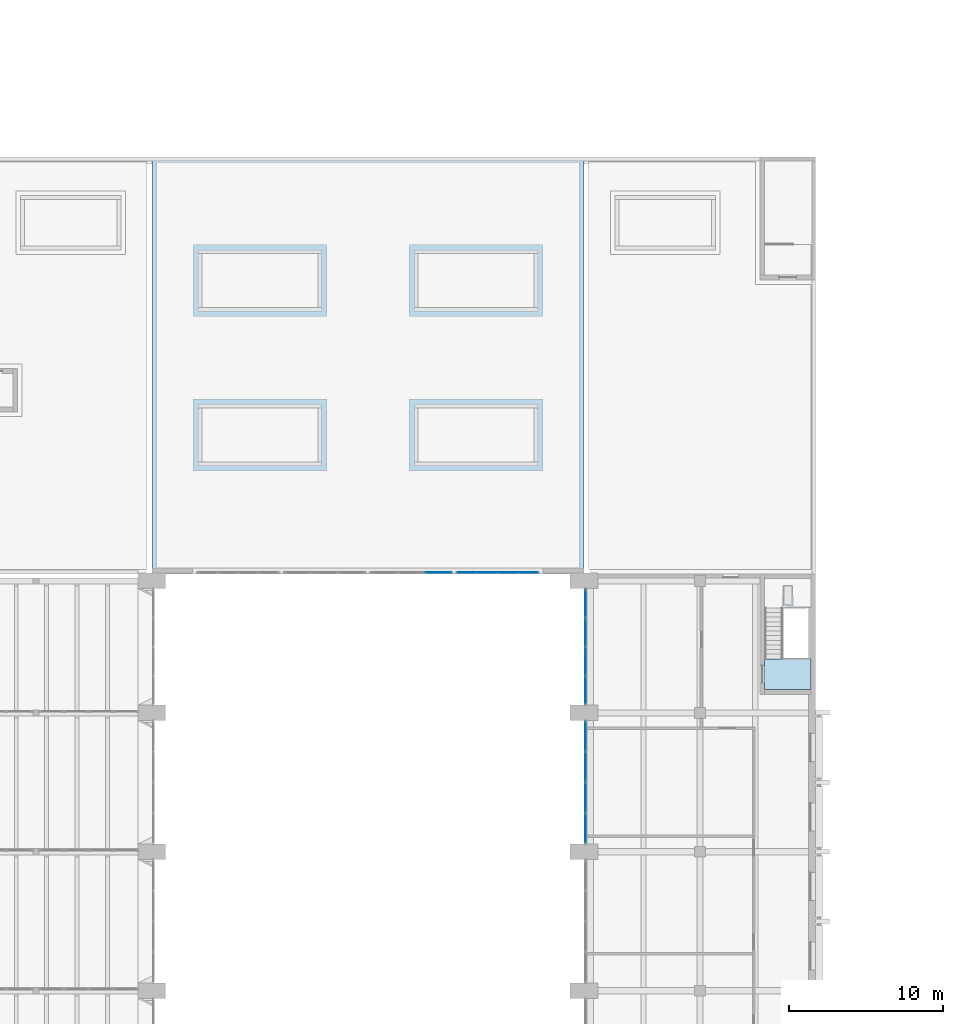
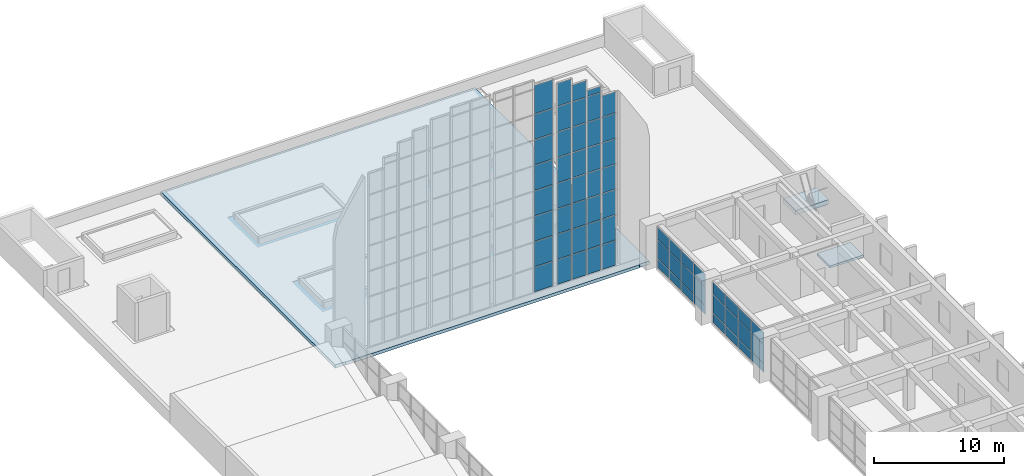
# One storey, part 28 of 43: 63 plates, 3 slabs, 8 elements without a shape of their own.
"""IFC4 building model written with IfcOpenShell, lengths in metres."""

import ifcopenshell
import ifcopenshell.guid

model = None  # the IFC model being written
_history = None  # IfcOwnerHistory: only IFC2X3 demands one
_inside = {}  # id of a spatial element -> (the spatial element, [elements in it])
_under = {}  # id of a project, library or spatial element -> (it, [spatial elements below it])
_declared = {}  # id of a project -> (the project, [libraries it declares])
_typed = {}  # id of a type object -> (the type object, [elements of that type])
_made_of = {}  # id of a material, layer set ... -> (it, [elements and type objects made of it])


def new_model(schema):
    """Start an empty IFC model of exactly this schema.

    Asked for "IFC4X3", IfcOpenShell would pick the latest addendum, in which some entities
    have other attributes; the version numbers below select the first issue.
    IFC2X3 requires an IfcOwnerHistory on every rooted entity: one is made here for all.
    """
    global model, _history
    if schema == "IFC4X3":
        model = ifcopenshell.file(schema_version=(4, 3, 0, 0))
    else:
        model = ifcopenshell.file(schema=schema)
    _inside.clear()
    _under.clear()
    _declared.clear()
    _typed.clear()
    _made_of.clear()
    _history = None
    if model.schema == "IFC2X3":
        org = make("IfcOrganization", Name="unknown")
        user = make(
            "IfcPersonAndOrganization",
            ThePerson=make("IfcPerson", FamilyName="unknown"),
            TheOrganization=org,
        )
        app = make(
            "IfcApplication",
            ApplicationDeveloper=org,
            Version="unknown",
            ApplicationFullName="unknown",
            ApplicationIdentifier="unknown",
        )
        _history = make(
            "IfcOwnerHistory",
            OwningUser=user,
            OwningApplication=app,
            ChangeAction="ADDED",
            CreationDate=0,
        )
    return model


def make(cls, **values):
    """One entity of the class cls with the attributes given. An attribute that is None is left unset."""
    return model.create_entity(
        cls, **{name: value for name, value in values.items() if value is not None}
    )


def rooted(cls, **values):
    """An entity with a GlobalId (a new one), such as an element, a storey or a relation."""
    return make(cls, GlobalId=ifcopenshell.guid.new(), OwnerHistory=_history, **values)


def si_unit(unit_type, name, prefix=None):
    """IfcSIUnit, for example si_unit("LENGTHUNIT", "METRE", prefix="MILLI")."""
    return make("IfcSIUnit", UnitType=unit_type, Prefix=prefix, Name=name)


def assignment(units):
    """IfcUnitAssignment: the units of a project."""
    return None if units is None else make("IfcUnitAssignment", Units=units)


def point(xyz):
    """IfcCartesianPoint."""
    return None if xyz is None else make("IfcCartesianPoint", Coordinates=xyz)


def direction(xyz):
    """IfcDirection."""
    return None if xyz is None else make("IfcDirection", DirectionRatios=xyz)


def frame(location, z_axis=None, x_axis=None):
    """IfcAxis2Placement3D, a coordinate frame: its origin and axes. An axis left out is left unset."""
    return make(
        "IfcAxis2Placement3D",
        Location=point(location),
        Axis=direction(z_axis),
        RefDirection=direction(x_axis),
    )


def frame_2d(location, x_axis=None):
    """IfcAxis2Placement2D, a coordinate frame in the plane: its origin and x axis."""
    return make(
        "IfcAxis2Placement2D", Location=point(location), RefDirection=direction(x_axis)
    )


def origin():
    """The frame at (0, 0, 0) with its axes left unset."""
    return frame((0.0, 0.0, 0.0))


def origin_2d():
    """The frame at (0, 0) in the plane with its x axis left unset."""
    return frame_2d((0.0, 0.0))


def place(relative_to, where):
    """IfcLocalPlacement: puts the frame where relative to a parent placement (None: the world)."""
    return make(
        "IfcLocalPlacement", PlacementRelTo=relative_to, RelativePlacement=where
    )


def context(
    kind, dimensions, precision=None, world=None, true_north=None, identifier=None
):
    """IfcGeometricRepresentationContext, for example the 3D "Model" context."""
    return make(
        "IfcGeometricRepresentationContext",
        ContextIdentifier=identifier,
        ContextType=kind,
        CoordinateSpaceDimension=dimensions,
        Precision=precision,
        WorldCoordinateSystem=world,
        TrueNorth=true_north,
    )


def subcontext(parent, identifier, kind, view, scale=None):
    """IfcGeometricRepresentationSubContext, for example "Body" below "Model"."""
    return make(
        "IfcGeometricRepresentationSubContext",
        ContextIdentifier=identifier,
        ContextType=kind,
        ParentContext=parent,
        TargetScale=scale,
        TargetView=view,
    )


def project(units=None, contexts=None):
    """IfcProject with its units and contexts."""
    return rooted(
        "IfcProject",
        Name="project",
        RepresentationContexts=contexts,
        UnitsInContext=assignment(units),
    )


def spatial(cls, under=None, at=None, **own):
    """A site, building, storey or space (cls), placed at a placement, below another one or the project."""
    s = rooted(cls, ObjectPlacement=at, **own)
    if under is not None:
        _under.setdefault(under.id(), (under, []))[1].append(s)
    return s


def polyline(points):
    """IfcPolyline through the points."""
    return make("IfcPolyline", Points=[point(p) for p in points])


def profile(cls, at=None, kind="AREA", **sizes):
    """A parametric profile (cls). Its sizes go by their IFC names, for example OverallWidth=200.0."""
    return make(cls, ProfileType=kind, Position=at, **sizes)


def rectangle(**sizes):
    """IfcRectangleProfileDef."""
    return profile("IfcRectangleProfileDef", **sizes)


def outline(outer, holes=None, kind="AREA"):
    """IfcArbitraryClosedProfileDef: a profile drawn as a closed curve; with holes, ...WithVoids."""
    if holes is None:
        return make("IfcArbitraryClosedProfileDef", ProfileType=kind, OuterCurve=outer)
    return make(
        "IfcArbitraryProfileDefWithVoids",
        ProfileType=kind,
        OuterCurve=outer,
        InnerCurves=holes,
    )


def extrude(swept, where, along, depth):
    """IfcExtrudedAreaSolid: the profile swept, set in the frame where, extruded along a direction by depth."""
    return make(
        "IfcExtrudedAreaSolid",
        SweptArea=swept,
        Position=where,
        ExtrudedDirection=direction(along),
        Depth=depth,
    )


def shape(context_of_items, identifier, shape_type, items):
    """IfcShapeRepresentation: the items that make up one representation, for example the "Body"."""
    return make(
        "IfcShapeRepresentation",
        ContextOfItems=context_of_items,
        RepresentationIdentifier=identifier,
        RepresentationType=shape_type,
        Items=items,
    )


def material(Name=None, Category=None):
    """IfcMaterial."""
    return make("IfcMaterial", Name=Name, Category=Category)


def layer(
    of_material, thickness, ventilated=None, Name=None, Category=None, Priority=None
):
    """IfcMaterialLayer: one layer of a wall or slab, of a material (None: an air gap)."""
    return make(
        "IfcMaterialLayer",
        Material=of_material,
        LayerThickness=thickness,
        IsVentilated=ventilated,
        Name=Name,
        Category=Category,
        Priority=Priority,
    )


def layer_set(layers, Name=None):
    """IfcMaterialLayerSet."""
    return make("IfcMaterialLayerSet", MaterialLayers=layers, LayerSetName=Name)


def made_of(thing, what):
    """Note that an element or type object is made of a material, layer set ...; save() writes the relation."""
    if what is not None:
        _made_of.setdefault(what.id(), (what, []))[1].append(thing)
    return thing


def type_object(cls, material=None, **own):
    """A type object (cls), such as IfcWallType, which elements share."""
    return made_of(rooted(cls, **own), material)


def element(
    cls,
    number,
    at=None,
    inside=None,
    cuts=None,
    type_object=None,
    material=None,
    context=None,
    identifier="Body",
    shape_type=None,
    held_by="IfcProductDefinitionShape",
    body=None,
    shapes=None,
    **own,
):
    """One element of the class cls, such as IfcWall. Its Tag is "e" and its number.

    at: its placement. inside: the storey or other place that contains it. cuts: it is an
    opening in that element (IfcRelVoidsElement). A single representation is given by context,
    identifier, shape_type and body (its items); several are given by shapes. held_by: the class
    of the entity that holds the representations. save() writes the other relations.
    """
    e = rooted(cls, Tag="e%d" % number, ObjectPlacement=at, **own)
    if body is not None:
        shapes = [shape(context, identifier, shape_type, body)]
    if shapes is not None:
        e.Representation = make(held_by, Representations=shapes)
    if inside is not None:
        _inside.setdefault(inside.id(), (inside, []))[1].append(e)
    if cuts is not None:
        rooted(
            "IfcRelVoidsElement", RelatingBuildingElement=cuts, RelatedOpeningElement=e
        )
    if type_object is not None:
        _typed.setdefault(type_object.id(), (type_object, []))[1].append(e)
    return made_of(e, material)


def aggregate(whole, parts):
    """IfcRelAggregates: a whole, such as a stair, and the parts it consists of."""
    return rooted("IfcRelAggregates", RelatingObject=whole, RelatedObjects=parts)


def save(model, path):
    """Write the relations noted so far, then the file.

    IfcRelAggregates (storeys below a building ...), IfcRelContainedInSpatialStructure (elements
    in a storey), IfcRelDefinesByType, IfcRelAssociatesMaterial and IfcRelDeclares: one each for
    every whole, place, type object, material and project.
    """
    for whole, parts in _under.values():
        aggregate(whole, parts)
    for where, things in _inside.values():
        rooted(
            "IfcRelContainedInSpatialStructure",
            RelatedElements=things,
            RelatingStructure=where,
        )
    for kind, things in _typed.values():
        rooted("IfcRelDefinesByType", RelatedObjects=things, RelatingType=kind)
    for what, things in _made_of.values():
        rooted("IfcRelAssociatesMaterial", RelatedObjects=things, RelatingMaterial=what)
    for by, libraries in _declared.values():
        rooted("IfcRelDeclares", RelatingContext=by, RelatedDefinitions=libraries)
    model.write(path)


model = new_model("IFC4")

# Units and contexts
model_context = context("Model", 3, precision=1e-05, world=origin(), true_north=direction((0.0, 1.0)))
body_context = subcontext(model_context, "Body", "Model", "MODEL_VIEW")
ifc_project = project(units=[si_unit("LENGTHUNIT", "METRE"), si_unit("AREAUNIT", "SQUARE_METRE"), si_unit("VOLUMEUNIT", "CUBIC_METRE"), si_unit("PLANEANGLEUNIT", "RADIAN"), si_unit("MASSUNIT", "GRAM", prefix="KILO")], contexts=[model_context])

# Site, building, storey
site_placement = place(None, origin())
site = spatial("IfcSite", under=ifc_project, at=site_placement, CompositionType="ELEMENT")
building_placement = place(site_placement, origin())
building = spatial("IfcBuilding", under=site, at=building_placement, Name="Elmora Arch Market Hall", CompositionType="ELEMENT")
storey_placement = place(building_placement, frame((0.0, 0.0, 10.199951171875)))
storey = spatial("IfcBuildingStorey", under=building, at=storey_placement, Name="L02", CompositionType="ELEMENT", Elevation=10.199951171875)

# Curtain wall, plates
ifc_material_1 = material(Name="Aluminium", Category="aluminium")
curtain_wall_type_1 = type_object("IfcCurtainWallType", Name="Hall front curtain wall", PredefinedType="NOTDEFINED", material=ifc_material_1)
curtain_wall_1_placement = place(storey_placement, origin())
curtain_wall_1 = element("IfcCurtainWall", 1, at=curtain_wall_1_placement, inside=storey, type_object=curtain_wall_type_1, Name="Wing front E L02 7", PredefinedType="NOTDEFINED")
ifc_material_2 = material(Name="Glass", Category="glass")
ifc_layer_1 = layer(ifc_material_2, 0.028076171875)
ifc_layer_set_1 = layer_set([ifc_layer_1], Name="Glass")
plate_type = type_object("IfcPlateType", Name="Glass panel 28", PredefinedType="CURTAIN_PANEL", material=ifc_layer_set_1)
plate_1_placement = place(storey_placement, frame((43.10009765625, 82.52001953125, 0.06005859375), z_axis=(0.0, 0.0, 1.0), x_axis=(0.0, 1.0, 0.0)))
plate_1 = element("IfcPlate", 2, at=plate_1_placement, type_object=plate_type, Name="CW2 panel 1.1", PredefinedType="CURTAIN_PANEL", context=body_context, shape_type="SweptSolid", body=[
    extrude(rectangle(XDim=1.8798828125, YDim=0.028076171875, at=origin_2d()), origin(), (0.0, 0.0, 1.0), 0.81005859375),
])
plate_2_placement = place(storey_placement, frame((43.10009765625, 82.52001953125, 0.93017578125), z_axis=(0.0, 0.0, 1.0), x_axis=(0.0, 1.0, 0.0)))
plate_2 = element("IfcPlate", 3, at=plate_2_placement, type_object=plate_type, Name="CW2 panel 1.2", PredefinedType="CURTAIN_PANEL", context=body_context, shape_type="SweptSolid", body=[
    extrude(rectangle(XDim=1.8798828125, YDim=0.028076171875, at=origin_2d()), origin(), (0.0, 0.0, 1.0), 1.739990234375),
])
plate_3_placement = place(storey_placement, frame((43.10009765625, 82.52001953125, 2.72998046875), z_axis=(0.0, 0.0, 1.0), x_axis=(0.0, 1.0, 0.0)))
plate_3 = element("IfcPlate", 4, at=plate_3_placement, type_object=plate_type, Name="CW2 panel 1.3", PredefinedType="CURTAIN_PANEL", context=body_context, shape_type="SweptSolid", body=[
    extrude(rectangle(XDim=1.8798828125, YDim=0.028076171875, at=origin_2d()), origin(), (0.0, 0.0, 1.0), 1.110107421875),
])
plate_4_placement = place(storey_placement, frame((43.10009765625, 84.5, 0.06005859375), z_axis=(0.0, 0.0, 1.0), x_axis=(0.0, 1.0, 0.0)))
plate_4 = element("IfcPlate", 5, at=plate_4_placement, type_object=plate_type, Name="CW2 panel 2.1", PredefinedType="CURTAIN_PANEL", context=body_context, shape_type="SweptSolid", body=[
    extrude(rectangle(XDim=1.919921875, YDim=0.028076171875, at=origin_2d()), origin(), (0.0, 0.0, 1.0), 0.81005859375),
])
plate_5_placement = place(storey_placement, frame((43.10009765625, 84.5, 0.93017578125), z_axis=(0.0, 0.0, 1.0), x_axis=(0.0, 1.0, 0.0)))
plate_5 = element("IfcPlate", 6, at=plate_5_placement, type_object=plate_type, Name="CW2 panel 2.2", PredefinedType="CURTAIN_PANEL", context=body_context, shape_type="SweptSolid", body=[
    extrude(rectangle(XDim=1.919921875, YDim=0.028076171875, at=origin_2d()), origin(), (0.0, 0.0, 1.0), 1.739990234375),
])
plate_6_placement = place(storey_placement, frame((43.10009765625, 84.5, 2.72998046875), z_axis=(0.0, 0.0, 1.0), x_axis=(0.0, 1.0, 0.0)))
plate_6 = element("IfcPlate", 7, at=plate_6_placement, type_object=plate_type, Name="CW2 panel 2.3", PredefinedType="CURTAIN_PANEL", context=body_context, shape_type="SweptSolid", body=[
    extrude(rectangle(XDim=1.919921875, YDim=0.028076171875, at=origin_2d()), origin(), (0.0, 0.0, 1.0), 1.110107421875),
])
plate_7_placement = place(storey_placement, frame((43.10009765625, 86.5, 0.06005859375), z_axis=(0.0, 0.0, 1.0), x_axis=(0.0, 1.0, 0.0)))
plate_7 = element("IfcPlate", 8, at=plate_7_placement, type_object=plate_type, Name="CW2 panel 3.1", PredefinedType="CURTAIN_PANEL", context=body_context, shape_type="SweptSolid", body=[
    extrude(rectangle(XDim=1.919921875, YDim=0.028076171875, at=origin_2d()), origin(), (0.0, 0.0, 1.0), 0.81005859375),
])
plate_8_placement = place(storey_placement, frame((43.10009765625, 86.5, 0.93017578125), z_axis=(0.0, 0.0, 1.0), x_axis=(0.0, 1.0, 0.0)))
plate_8 = element("IfcPlate", 9, at=plate_8_placement, type_object=plate_type, Name="CW2 panel 3.2", PredefinedType="CURTAIN_PANEL", context=body_context, shape_type="SweptSolid", body=[
    extrude(rectangle(XDim=1.919921875, YDim=0.028076171875, at=origin_2d()), origin(), (0.0, 0.0, 1.0), 1.739990234375),
])
plate_9_placement = place(storey_placement, frame((43.10009765625, 86.5, 2.72998046875), z_axis=(0.0, 0.0, 1.0), x_axis=(0.0, 1.0, 0.0)))
plate_9 = element("IfcPlate", 10, at=plate_9_placement, type_object=plate_type, Name="CW2 panel 3.3", PredefinedType="CURTAIN_PANEL", context=body_context, shape_type="SweptSolid", body=[
    extrude(rectangle(XDim=1.919921875, YDim=0.028076171875, at=origin_2d()), origin(), (0.0, 0.0, 1.0), 1.110107421875),
])
plate_10_placement = place(storey_placement, frame((43.10009765625, 88.47998046875, 0.06005859375), z_axis=(0.0, 0.0, 1.0), x_axis=(0.0, 1.0, 0.0)))
plate_10 = element("IfcPlate", 11, at=plate_10_placement, type_object=plate_type, Name="CW2 panel 4.1", PredefinedType="CURTAIN_PANEL", context=body_context, shape_type="SweptSolid", body=[
    extrude(rectangle(XDim=1.8798828125, YDim=0.028076171875, at=origin_2d()), origin(), (0.0, 0.0, 1.0), 0.81005859375),
])
plate_11_placement = place(storey_placement, frame((43.10009765625, 88.47998046875, 0.93017578125), z_axis=(0.0, 0.0, 1.0), x_axis=(0.0, 1.0, 0.0)))
plate_11 = element("IfcPlate", 12, at=plate_11_placement, type_object=plate_type, Name="CW2 panel 4.2", PredefinedType="CURTAIN_PANEL", context=body_context, shape_type="SweptSolid", body=[
    extrude(rectangle(XDim=1.8798828125, YDim=0.028076171875, at=origin_2d()), origin(), (0.0, 0.0, 1.0), 1.739990234375),
])
plate_12_placement = place(storey_placement, frame((43.10009765625, 88.47998046875, 2.72998046875), z_axis=(0.0, 0.0, 1.0), x_axis=(0.0, 1.0, 0.0)))
plate_12 = element("IfcPlate", 13, at=plate_12_placement, type_object=plate_type, Name="CW2 panel 4.3", PredefinedType="CURTAIN_PANEL", context=body_context, shape_type="SweptSolid", body=[
    extrude(rectangle(XDim=1.8798828125, YDim=0.028076171875, at=origin_2d()), origin(), (0.0, 0.0, 1.0), 1.110107421875),
])
aggregate(curtain_wall_1, [plate_1, plate_2, plate_3, plate_4, plate_5, plate_6, plate_7, plate_8, plate_9, plate_10, plate_11, plate_12])

curtain_wall_2_placement = place(storey_placement, origin())
curtain_wall_2 = element("IfcCurtainWall", 14, at=curtain_wall_2_placement, inside=storey, type_object=curtain_wall_type_1, Name="Wing front E L02 8", PredefinedType="NOTDEFINED")
plate_13_placement = place(storey_placement, frame((43.10009765625, 91.4638671875, 0.06005859375), z_axis=(0.0, 0.0, 1.0), x_axis=(0.0, 1.0, 0.0)))
plate_13 = element("IfcPlate", 15, at=plate_13_placement, type_object=plate_type, Name="CW2 panel 1.1", PredefinedType="CURTAIN_PANEL", context=body_context, shape_type="SweptSolid", body=[
    extrude(rectangle(XDim=1.767578125, YDim=0.028076171875, at=origin_2d()), origin(), (0.0, 0.0, 1.0), 0.81005859375),
])
plate_14_placement = place(storey_placement, frame((43.10009765625, 91.4638671875, 0.93017578125), z_axis=(0.0, 0.0, 1.0), x_axis=(0.0, 1.0, 0.0)))
plate_14 = element("IfcPlate", 16, at=plate_14_placement, type_object=plate_type, Name="CW2 panel 1.2", PredefinedType="CURTAIN_PANEL", context=body_context, shape_type="SweptSolid", body=[
    extrude(rectangle(XDim=1.767578125, YDim=0.028076171875, at=origin_2d()), origin(), (0.0, 0.0, 1.0), 1.739990234375),
])
plate_15_placement = place(storey_placement, frame((43.10009765625, 91.4638671875, 2.72998046875), z_axis=(0.0, 0.0, 1.0), x_axis=(0.0, 1.0, 0.0)))
plate_15 = element("IfcPlate", 17, at=plate_15_placement, type_object=plate_type, Name="CW2 panel 1.3", PredefinedType="CURTAIN_PANEL", context=body_context, shape_type="SweptSolid", body=[
    extrude(rectangle(XDim=1.767578125, YDim=0.028076171875, at=origin_2d()), origin(), (0.0, 0.0, 1.0), 1.110107421875),
])
plate_16_placement = place(storey_placement, frame((43.10009765625, 93.331298828125, 0.06005859375), z_axis=(0.0, 0.0, 1.0), x_axis=(0.0, 1.0, 0.0)))
plate_16 = element("IfcPlate", 18, at=plate_16_placement, type_object=plate_type, Name="CW2 panel 2.1", PredefinedType="CURTAIN_PANEL", context=body_context, shape_type="SweptSolid", body=[
    extrude(rectangle(XDim=1.8076171875, YDim=0.028076171875, at=origin_2d()), origin(), (0.0, 0.0, 1.0), 0.81005859375),
])
plate_17_placement = place(storey_placement, frame((43.10009765625, 93.331298828125, 0.93017578125), z_axis=(0.0, 0.0, 1.0), x_axis=(0.0, 1.0, 0.0)))
plate_17 = element("IfcPlate", 19, at=plate_17_placement, type_object=plate_type, Name="CW2 panel 2.2", PredefinedType="CURTAIN_PANEL", context=body_context, shape_type="SweptSolid", body=[
    extrude(rectangle(XDim=1.8076171875, YDim=0.028076171875, at=origin_2d()), origin(), (0.0, 0.0, 1.0), 1.739990234375),
])
plate_18_placement = place(storey_placement, frame((43.10009765625, 93.331298828125, 2.72998046875), z_axis=(0.0, 0.0, 1.0), x_axis=(0.0, 1.0, 0.0)))
plate_18 = element("IfcPlate", 20, at=plate_18_placement, type_object=plate_type, Name="CW2 panel 2.3", PredefinedType="CURTAIN_PANEL", context=body_context, shape_type="SweptSolid", body=[
    extrude(rectangle(XDim=1.8076171875, YDim=0.028076171875, at=origin_2d()), origin(), (0.0, 0.0, 1.0), 1.110107421875),
])
plate_19_placement = place(storey_placement, frame((43.10009765625, 95.21875, 0.06005859375), z_axis=(0.0, 0.0, 1.0), x_axis=(0.0, 1.0, 0.0)))
plate_19 = element("IfcPlate", 21, at=plate_19_placement, type_object=plate_type, Name="CW2 panel 3.1", PredefinedType="CURTAIN_PANEL", context=body_context, shape_type="SweptSolid", body=[
    extrude(rectangle(XDim=1.8076171875, YDim=0.028076171875, at=origin_2d()), origin(), (0.0, 0.0, 1.0), 0.81005859375),
])
plate_20_placement = place(storey_placement, frame((43.10009765625, 95.21875, 0.93017578125), z_axis=(0.0, 0.0, 1.0), x_axis=(0.0, 1.0, 0.0)))
plate_20 = element("IfcPlate", 22, at=plate_20_placement, type_object=plate_type, Name="CW2 panel 3.2", PredefinedType="CURTAIN_PANEL", context=body_context, shape_type="SweptSolid", body=[
    extrude(rectangle(XDim=1.8076171875, YDim=0.028076171875, at=origin_2d()), origin(), (0.0, 0.0, 1.0), 1.739990234375),
])
plate_21_placement = place(storey_placement, frame((43.10009765625, 95.21875, 2.72998046875), z_axis=(0.0, 0.0, 1.0), x_axis=(0.0, 1.0, 0.0)))
plate_21 = element("IfcPlate", 23, at=plate_21_placement, type_object=plate_type, Name="CW2 panel 3.3", PredefinedType="CURTAIN_PANEL", context=body_context, shape_type="SweptSolid", body=[
    extrude(rectangle(XDim=1.8076171875, YDim=0.028076171875, at=origin_2d()), origin(), (0.0, 0.0, 1.0), 1.110107421875),
])
plate_22_placement = place(storey_placement, frame((43.10009765625, 97.086181640625, 0.06005859375), z_axis=(0.0, 0.0, 1.0), x_axis=(0.0, 1.0, 0.0)))
plate_22 = element("IfcPlate", 24, at=plate_22_placement, type_object=plate_type, Name="CW2 panel 4.1", PredefinedType="CURTAIN_PANEL", context=body_context, shape_type="SweptSolid", body=[
    extrude(rectangle(XDim=1.767578125, YDim=0.028076171875, at=origin_2d()), origin(), (0.0, 0.0, 1.0), 0.81005859375),
])
plate_23_placement = place(storey_placement, frame((43.10009765625, 97.086181640625, 0.93017578125), z_axis=(0.0, 0.0, 1.0), x_axis=(0.0, 1.0, 0.0)))
plate_23 = element("IfcPlate", 25, at=plate_23_placement, type_object=plate_type, Name="CW2 panel 4.2", PredefinedType="CURTAIN_PANEL", context=body_context, shape_type="SweptSolid", body=[
    extrude(rectangle(XDim=1.767578125, YDim=0.028076171875, at=origin_2d()), origin(), (0.0, 0.0, 1.0), 1.739990234375),
])
plate_24_placement = place(storey_placement, frame((43.10009765625, 97.086181640625, 2.72998046875), z_axis=(0.0, 0.0, 1.0), x_axis=(0.0, 1.0, 0.0)))
plate_24 = element("IfcPlate", 26, at=plate_24_placement, type_object=plate_type, Name="CW2 panel 4.3", PredefinedType="CURTAIN_PANEL", context=body_context, shape_type="SweptSolid", body=[
    extrude(rectangle(XDim=1.767578125, YDim=0.028076171875, at=origin_2d()), origin(), (0.0, 0.0, 1.0), 1.110107421875),
])
aggregate(curtain_wall_2, [plate_13, plate_14, plate_15, plate_16, plate_17, plate_18, plate_19, plate_20, plate_21, plate_22, plate_23, plate_24])

ifc_material_3 = material(Name="Aluminium", Category="aluminium")
curtain_wall_type_2 = type_object("IfcCurtainWallType", Name="Gable curtain wall", PredefinedType="NOTDEFINED", material=ifc_material_3)
curtain_wall_3_placement = place(storey_placement, origin())
curtain_wall_3 = element("IfcCurtainWall", 27, at=curtain_wall_3_placement, inside=storey, type_object=curtain_wall_type_2, Name="North gable glazing 10", PredefinedType="NOTDEFINED")
plate_25_placement = place(storey_placement, frame((33.566650390625, 99.080078125, 0.659912109375), z_axis=(0.0, 0.0, 1.0), x_axis=(1.0, 0.0, 0.0)))
plate_25 = element("IfcPlate", 28, at=plate_25_placement, type_object=plate_type, Name="CW8 panel 1.1", PredefinedType="CURTAIN_PANEL", context=body_context, shape_type="SweptSolid", body=[
    extrude(rectangle(XDim=1.646728515625, YDim=0.028076171875, at=origin_2d()), origin(), (0.0, 0.0, 1.0), 2.31005859375),
])
plate_26_placement = place(storey_placement, frame((33.566650390625, 99.080078125, 3.02978515625), z_axis=(0.0, 0.0, 1.0), x_axis=(1.0, 0.0, 0.0)))
plate_26 = element("IfcPlate", 29, at=plate_26_placement, type_object=plate_type, Name="CW8 panel 1.2", PredefinedType="CURTAIN_PANEL", context=body_context, shape_type="SweptSolid", body=[
    extrude(rectangle(XDim=1.646728515625, YDim=0.028076171875, at=origin_2d()), origin(), (0.0, 0.0, 1.0), 2.340087890625),
])
plate_27_placement = place(storey_placement, frame((33.566650390625, 99.080078125, 5.43017578125), z_axis=(0.0, 0.0, 1.0), x_axis=(1.0, 0.0, 0.0)))
plate_27 = element("IfcPlate", 30, at=plate_27_placement, type_object=plate_type, Name="CW8 panel 1.3", PredefinedType="CURTAIN_PANEL", context=body_context, shape_type="SweptSolid", body=[
    extrude(rectangle(XDim=1.646728515625, YDim=0.028076171875, at=origin_2d()), origin(), (0.0, 0.0, 1.0), 2.340087890625),
])
plate_28_placement = place(storey_placement, frame((33.566650390625, 99.080078125, 7.830078125), z_axis=(0.0, 0.0, 1.0), x_axis=(1.0, 0.0, 0.0)))
plate_28 = element("IfcPlate", 31, at=plate_28_placement, type_object=plate_type, Name="CW8 panel 1.4", PredefinedType="CURTAIN_PANEL", context=body_context, shape_type="SweptSolid", body=[
    extrude(rectangle(XDim=1.646728515625, YDim=0.028076171875, at=origin_2d()), origin(), (0.0, 0.0, 1.0), 2.340087890625),
])
plate_29_placement = place(storey_placement, frame((33.566650390625, 99.080078125, 10.22998046875), z_axis=(0.0, 0.0, 1.0), x_axis=(1.0, 0.0, 0.0)))
plate_29 = element("IfcPlate", 32, at=plate_29_placement, type_object=plate_type, Name="CW8 panel 1.5", PredefinedType="CURTAIN_PANEL", context=body_context, shape_type="SweptSolid", body=[
    extrude(rectangle(XDim=1.646728515625, YDim=0.028076171875, at=origin_2d()), origin(), (0.0, 0.0, 1.0), 2.340087890625),
])
plate_30_placement = place(storey_placement, frame((33.566650390625, 99.080078125, 12.6298828125), z_axis=(0.0, 0.0, 1.0), x_axis=(1.0, 0.0, 0.0)))
plate_30 = element("IfcPlate", 33, at=plate_30_placement, type_object=plate_type, Name="CW8 panel 1.6", PredefinedType="CURTAIN_PANEL", context=body_context, shape_type="SweptSolid", body=[
    extrude(rectangle(XDim=1.646728515625, YDim=0.028076171875, at=origin_2d()), origin(), (0.0, 0.0, 1.0), 2.340087890625),
])
plate_31_placement = place(storey_placement, frame((33.566650390625, 99.080078125, 15.02978515625), z_axis=(0.0, 0.0, 1.0), x_axis=(1.0, 0.0, 0.0)))
plate_31 = element("IfcPlate", 34, at=plate_31_placement, type_object=plate_type, Name="CW8 panel 1.7", PredefinedType="CURTAIN_PANEL", context=body_context, shape_type="SweptSolid", body=[
    extrude(rectangle(XDim=1.646728515625, YDim=0.028076171875, at=origin_2d()), origin(), (0.0, 0.0, 1.0), 2.340087890625),
])
plate_32_placement = place(storey_placement, frame((33.566650390625, 99.080078125, 17.43017578125), z_axis=(0.0, 0.0, 1.0), x_axis=(1.0, 0.0, 0.0)))
plate_32 = element("IfcPlate", 35, at=plate_32_placement, type_object=plate_type, Name="CW8 panel 1.8", PredefinedType="CURTAIN_PANEL", context=body_context, shape_type="SweptSolid", body=[
    extrude(rectangle(XDim=1.646728515625, YDim=0.028076171875, at=origin_2d()), origin(), (0.0, 0.0, 1.0), 2.66796875),
])
aggregate(curtain_wall_3, [plate_25, plate_26, plate_27, plate_28, plate_29, plate_30, plate_31, plate_32])

curtain_wall_4_placement = place(storey_placement, origin())
curtain_wall_4 = element("IfcCurtainWall", 36, at=curtain_wall_4_placement, inside=storey, type_object=curtain_wall_type_2, Name="North gable glazing 11", PredefinedType="NOTDEFINED")
plate_33_placement = place(storey_placement, frame((35.41259765625, 99.080078125, 0.659912109375), z_axis=(0.0, 0.0, 1.0), x_axis=(1.0, 0.0, 0.0)))
plate_33 = element("IfcPlate", 37, at=plate_33_placement, type_object=plate_type, Name="CW8 panel 1.1", PredefinedType="CURTAIN_PANEL", context=body_context, shape_type="SweptSolid", body=[
    extrude(rectangle(XDim=1.205078125, YDim=0.028076171875, at=origin_2d()), origin(), (0.0, 0.0, 1.0), 2.31005859375),
])
plate_34_placement = place(storey_placement, frame((35.41259765625, 99.080078125, 3.02978515625), z_axis=(0.0, 0.0, 1.0), x_axis=(1.0, 0.0, 0.0)))
plate_34 = element("IfcPlate", 38, at=plate_34_placement, type_object=plate_type, Name="CW8 panel 1.2", PredefinedType="CURTAIN_PANEL", context=body_context, shape_type="SweptSolid", body=[
    extrude(rectangle(XDim=1.205078125, YDim=0.028076171875, at=origin_2d()), origin(), (0.0, 0.0, 1.0), 2.340087890625),
])
plate_35_placement = place(storey_placement, frame((35.41259765625, 99.080078125, 5.43017578125), z_axis=(0.0, 0.0, 1.0), x_axis=(1.0, 0.0, 0.0)))
plate_35 = element("IfcPlate", 39, at=plate_35_placement, type_object=plate_type, Name="CW8 panel 1.3", PredefinedType="CURTAIN_PANEL", context=body_context, shape_type="SweptSolid", body=[
    extrude(rectangle(XDim=1.205078125, YDim=0.028076171875, at=origin_2d()), origin(), (0.0, 0.0, 1.0), 2.340087890625),
])
plate_36_placement = place(storey_placement, frame((35.41259765625, 99.080078125, 7.830078125), z_axis=(0.0, 0.0, 1.0), x_axis=(1.0, 0.0, 0.0)))
plate_36 = element("IfcPlate", 40, at=plate_36_placement, type_object=plate_type, Name="CW8 panel 1.4", PredefinedType="CURTAIN_PANEL", context=body_context, shape_type="SweptSolid", body=[
    extrude(rectangle(XDim=1.205078125, YDim=0.028076171875, at=origin_2d()), origin(), (0.0, 0.0, 1.0), 2.340087890625),
])
plate_37_placement = place(storey_placement, frame((35.41259765625, 99.080078125, 10.22998046875), z_axis=(0.0, 0.0, 1.0), x_axis=(1.0, 0.0, 0.0)))
plate_37 = element("IfcPlate", 41, at=plate_37_placement, type_object=plate_type, Name="CW8 panel 1.5", PredefinedType="CURTAIN_PANEL", context=body_context, shape_type="SweptSolid", body=[
    extrude(rectangle(XDim=1.205078125, YDim=0.028076171875, at=origin_2d()), origin(), (0.0, 0.0, 1.0), 2.340087890625),
])
plate_38_placement = place(storey_placement, frame((35.41259765625, 99.080078125, 12.6298828125), z_axis=(0.0, 0.0, 1.0), x_axis=(1.0, 0.0, 0.0)))
plate_38 = element("IfcPlate", 42, at=plate_38_placement, type_object=plate_type, Name="CW8 panel 1.6", PredefinedType="CURTAIN_PANEL", context=body_context, shape_type="SweptSolid", body=[
    extrude(rectangle(XDim=1.205078125, YDim=0.028076171875, at=origin_2d()), origin(), (0.0, 0.0, 1.0), 2.340087890625),
])
plate_39_placement = place(storey_placement, frame((35.41259765625, 99.080078125, 15.02978515625), z_axis=(0.0, 0.0, 1.0), x_axis=(1.0, 0.0, 0.0)))
plate_39 = element("IfcPlate", 43, at=plate_39_placement, type_object=plate_type, Name="CW8 panel 1.7", PredefinedType="CURTAIN_PANEL", context=body_context, shape_type="SweptSolid", body=[
    extrude(rectangle(XDim=1.205078125, YDim=0.028076171875, at=origin_2d()), origin(), (0.0, 0.0, 1.0), 2.340087890625),
])
plate_40_placement = place(storey_placement, frame((35.41259765625, 99.080078125, 17.43017578125), z_axis=(0.0, 0.0, 1.0), x_axis=(1.0, 0.0, 0.0)))
plate_40 = element("IfcPlate", 44, at=plate_40_placement, type_object=plate_type, Name="CW8 panel 1.8", PredefinedType="CURTAIN_PANEL", context=body_context, shape_type="SweptSolid", body=[
    extrude(rectangle(XDim=1.205078125, YDim=0.028076171875, at=origin_2d()), origin(), (0.0, 0.0, 1.0), 2.155029296875),
])
aggregate(curtain_wall_4, [plate_33, plate_34, plate_35, plate_36, plate_37, plate_38, plate_39, plate_40])

curtain_wall_5_placement = place(storey_placement, origin())
curtain_wall_5 = element("IfcCurtainWall", 45, at=curtain_wall_5_placement, inside=storey, type_object=curtain_wall_type_2, Name="North gable glazing 12", PredefinedType="NOTDEFINED")
plate_41_placement = place(storey_placement, frame((36.737548828125, 99.080078125, 0.659912109375), z_axis=(0.0, 0.0, 1.0), x_axis=(1.0, 0.0, 0.0)))
plate_41 = element("IfcPlate", 46, at=plate_41_placement, type_object=plate_type, Name="CW8 panel 1.1", PredefinedType="CURTAIN_PANEL", context=body_context, shape_type="SweptSolid", body=[
    extrude(rectangle(XDim=1.205078125, YDim=0.028076171875, at=origin_2d()), origin(), (0.0, 0.0, 1.0), 2.31005859375),
])
plate_42_placement = place(storey_placement, frame((36.737548828125, 99.080078125, 3.02978515625), z_axis=(0.0, 0.0, 1.0), x_axis=(1.0, 0.0, 0.0)))
plate_42 = element("IfcPlate", 47, at=plate_42_placement, type_object=plate_type, Name="CW8 panel 1.2", PredefinedType="CURTAIN_PANEL", context=body_context, shape_type="SweptSolid", body=[
    extrude(rectangle(XDim=1.205078125, YDim=0.028076171875, at=origin_2d()), origin(), (0.0, 0.0, 1.0), 2.340087890625),
])
plate_43_placement = place(storey_placement, frame((36.737548828125, 99.080078125, 5.43017578125), z_axis=(0.0, 0.0, 1.0), x_axis=(1.0, 0.0, 0.0)))
plate_43 = element("IfcPlate", 48, at=plate_43_placement, type_object=plate_type, Name="CW8 panel 1.3", PredefinedType="CURTAIN_PANEL", context=body_context, shape_type="SweptSolid", body=[
    extrude(rectangle(XDim=1.205078125, YDim=0.028076171875, at=origin_2d()), origin(), (0.0, 0.0, 1.0), 2.340087890625),
])
plate_44_placement = place(storey_placement, frame((36.737548828125, 99.080078125, 7.830078125), z_axis=(0.0, 0.0, 1.0), x_axis=(1.0, 0.0, 0.0)))
plate_44 = element("IfcPlate", 49, at=plate_44_placement, type_object=plate_type, Name="CW8 panel 1.4", PredefinedType="CURTAIN_PANEL", context=body_context, shape_type="SweptSolid", body=[
    extrude(rectangle(XDim=1.205078125, YDim=0.028076171875, at=origin_2d()), origin(), (0.0, 0.0, 1.0), 2.340087890625),
])
plate_45_placement = place(storey_placement, frame((36.737548828125, 99.080078125, 10.22998046875), z_axis=(0.0, 0.0, 1.0), x_axis=(1.0, 0.0, 0.0)))
plate_45 = element("IfcPlate", 50, at=plate_45_placement, type_object=plate_type, Name="CW8 panel 1.5", PredefinedType="CURTAIN_PANEL", context=body_context, shape_type="SweptSolid", body=[
    extrude(rectangle(XDim=1.205078125, YDim=0.028076171875, at=origin_2d()), origin(), (0.0, 0.0, 1.0), 2.340087890625),
])
plate_46_placement = place(storey_placement, frame((36.737548828125, 99.080078125, 12.6298828125), z_axis=(0.0, 0.0, 1.0), x_axis=(1.0, 0.0, 0.0)))
plate_46 = element("IfcPlate", 51, at=plate_46_placement, type_object=plate_type, Name="CW8 panel 1.6", PredefinedType="CURTAIN_PANEL", context=body_context, shape_type="SweptSolid", body=[
    extrude(rectangle(XDim=1.205078125, YDim=0.028076171875, at=origin_2d()), origin(), (0.0, 0.0, 1.0), 2.340087890625),
])
plate_47_placement = place(storey_placement, frame((36.737548828125, 99.080078125, 15.02978515625), z_axis=(0.0, 0.0, 1.0), x_axis=(1.0, 0.0, 0.0)))
plate_47 = element("IfcPlate", 52, at=plate_47_placement, type_object=plate_type, Name="CW8 panel 1.7", PredefinedType="CURTAIN_PANEL", context=body_context, shape_type="SweptSolid", body=[
    extrude(rectangle(XDim=1.205078125, YDim=0.028076171875, at=origin_2d()), origin(), (0.0, 0.0, 1.0), 2.340087890625),
])
plate_48_placement = place(storey_placement, frame((36.737548828125, 99.080078125, 17.429931640625), z_axis=(0.0, 0.0, 1.0), x_axis=(1.0, 0.0, 0.0)))
plate_48 = element("IfcPlate", 53, at=plate_48_placement, type_object=plate_type, Name="CW8 panel 1.8", PredefinedType="CURTAIN_PANEL", context=body_context, shape_type="SweptSolid", body=[
    extrude(rectangle(XDim=1.205078125, YDim=0.028076171875, at=origin_2d()), origin(), (0.0, 0.0, 1.0), 1.51708984375),
])
aggregate(curtain_wall_5, [plate_41, plate_42, plate_43, plate_44, plate_45, plate_46, plate_47, plate_48])

curtain_wall_6_placement = place(storey_placement, origin())
curtain_wall_6 = element("IfcCurtainWall", 54, at=curtain_wall_6_placement, inside=storey, type_object=curtain_wall_type_2, Name="North gable glazing 13", PredefinedType="NOTDEFINED")
plate_49_placement = place(storey_placement, frame((38.0625, 99.080078125, 0.659912109375), z_axis=(0.0, 0.0, 1.0), x_axis=(1.0, 0.0, 0.0)))
plate_49 = element("IfcPlate", 55, at=plate_49_placement, type_object=plate_type, Name="CW8 panel 1.1", PredefinedType="CURTAIN_PANEL", context=body_context, shape_type="SweptSolid", body=[
    extrude(rectangle(XDim=1.205078125, YDim=0.028076171875, at=origin_2d()), origin(), (0.0, 0.0, 1.0), 2.31005859375),
])
plate_50_placement = place(storey_placement, frame((38.0625, 99.080078125, 3.02978515625), z_axis=(0.0, 0.0, 1.0), x_axis=(1.0, 0.0, 0.0)))
plate_50 = element("IfcPlate", 56, at=plate_50_placement, type_object=plate_type, Name="CW8 panel 1.2", PredefinedType="CURTAIN_PANEL", context=body_context, shape_type="SweptSolid", body=[
    extrude(rectangle(XDim=1.205078125, YDim=0.028076171875, at=origin_2d()), origin(), (0.0, 0.0, 1.0), 2.340087890625),
])
plate_51_placement = place(storey_placement, frame((38.0625, 99.080078125, 5.43017578125), z_axis=(0.0, 0.0, 1.0), x_axis=(1.0, 0.0, 0.0)))
plate_51 = element("IfcPlate", 57, at=plate_51_placement, type_object=plate_type, Name="CW8 panel 1.3", PredefinedType="CURTAIN_PANEL", context=body_context, shape_type="SweptSolid", body=[
    extrude(rectangle(XDim=1.205078125, YDim=0.028076171875, at=origin_2d()), origin(), (0.0, 0.0, 1.0), 2.340087890625),
])
plate_52_placement = place(storey_placement, frame((38.0625, 99.080078125, 7.830078125), z_axis=(0.0, 0.0, 1.0), x_axis=(1.0, 0.0, 0.0)))
plate_52 = element("IfcPlate", 58, at=plate_52_placement, type_object=plate_type, Name="CW8 panel 1.4", PredefinedType="CURTAIN_PANEL", context=body_context, shape_type="SweptSolid", body=[
    extrude(rectangle(XDim=1.205078125, YDim=0.028076171875, at=origin_2d()), origin(), (0.0, 0.0, 1.0), 2.340087890625),
])
plate_53_placement = place(storey_placement, frame((38.0625, 99.080078125, 10.22998046875), z_axis=(0.0, 0.0, 1.0), x_axis=(1.0, 0.0, 0.0)))
plate_53 = element("IfcPlate", 59, at=plate_53_placement, type_object=plate_type, Name="CW8 panel 1.5", PredefinedType="CURTAIN_PANEL", context=body_context, shape_type="SweptSolid", body=[
    extrude(rectangle(XDim=1.205078125, YDim=0.028076171875, at=origin_2d()), origin(), (0.0, 0.0, 1.0), 2.340087890625),
])
plate_54_placement = place(storey_placement, frame((38.0625, 99.080078125, 12.6298828125), z_axis=(0.0, 0.0, 1.0), x_axis=(1.0, 0.0, 0.0)))
plate_54 = element("IfcPlate", 60, at=plate_54_placement, type_object=plate_type, Name="CW8 panel 1.6", PredefinedType="CURTAIN_PANEL", context=body_context, shape_type="SweptSolid", body=[
    extrude(rectangle(XDim=1.205078125, YDim=0.028076171875, at=origin_2d()), origin(), (0.0, 0.0, 1.0), 2.340087890625),
])
plate_55_placement = place(storey_placement, frame((38.0625, 99.080078125, 15.02978515625), z_axis=(0.0, 0.0, 1.0), x_axis=(1.0, 0.0, 0.0)))
plate_55 = element("IfcPlate", 61, at=plate_55_placement, type_object=plate_type, Name="CW8 panel 1.7", PredefinedType="CURTAIN_PANEL", context=body_context, shape_type="SweptSolid", body=[
    extrude(rectangle(XDim=1.205078125, YDim=0.028076171875, at=origin_2d()), origin(), (0.0, 0.0, 1.0), 2.340087890625),
])
plate_56_placement = place(storey_placement, frame((38.0625, 99.080078125, 17.429931640625), z_axis=(0.0, 0.0, 1.0), x_axis=(1.0, 0.0, 0.0)))
plate_56 = element("IfcPlate", 62, at=plate_56_placement, type_object=plate_type, Name="CW8 panel 1.8", PredefinedType="CURTAIN_PANEL", context=body_context, shape_type="SweptSolid", body=[
    extrude(rectangle(XDim=1.205078125, YDim=0.028076171875, at=origin_2d()), origin(), (0.0, 0.0, 1.0), 0.5419921875),
])
aggregate(curtain_wall_6, [plate_49, plate_50, plate_51, plate_52, plate_53, plate_54, plate_55, plate_56])

curtain_wall_7_placement = place(storey_placement, origin())
curtain_wall_7 = element("IfcCurtainWall", 63, at=curtain_wall_7_placement, inside=storey, type_object=curtain_wall_type_2, Name="North gable glazing 14", PredefinedType="NOTDEFINED")
plate_57_placement = place(storey_placement, frame((39.387451171875, 99.080078125, 0.659912109375), z_axis=(0.0, 0.0, 1.0), x_axis=(1.0, 0.0, 0.0)))
plate_57 = element("IfcPlate", 64, at=plate_57_placement, type_object=plate_type, Name="CW8 panel 1.1", PredefinedType="CURTAIN_PANEL", context=body_context, shape_type="SweptSolid", body=[
    extrude(rectangle(XDim=1.205078125, YDim=0.028076171875, at=origin_2d()), origin(), (0.0, 0.0, 1.0), 2.31005859375),
])
plate_58_placement = place(storey_placement, frame((39.387451171875, 99.080078125, 3.02978515625), z_axis=(0.0, 0.0, 1.0), x_axis=(1.0, 0.0, 0.0)))
plate_58 = element("IfcPlate", 65, at=plate_58_placement, type_object=plate_type, Name="CW8 panel 1.2", PredefinedType="CURTAIN_PANEL", context=body_context, shape_type="SweptSolid", body=[
    extrude(rectangle(XDim=1.205078125, YDim=0.028076171875, at=origin_2d()), origin(), (0.0, 0.0, 1.0), 2.340087890625),
])
plate_59_placement = place(storey_placement, frame((39.387451171875, 99.080078125, 5.43017578125), z_axis=(0.0, 0.0, 1.0), x_axis=(1.0, 0.0, 0.0)))
plate_59 = element("IfcPlate", 66, at=plate_59_placement, type_object=plate_type, Name="CW8 panel 1.3", PredefinedType="CURTAIN_PANEL", context=body_context, shape_type="SweptSolid", body=[
    extrude(rectangle(XDim=1.205078125, YDim=0.028076171875, at=origin_2d()), origin(), (0.0, 0.0, 1.0), 2.340087890625),
])
plate_60_placement = place(storey_placement, frame((39.387451171875, 99.080078125, 7.830078125), z_axis=(0.0, 0.0, 1.0), x_axis=(1.0, 0.0, 0.0)))
plate_60 = element("IfcPlate", 67, at=plate_60_placement, type_object=plate_type, Name="CW8 panel 1.4", PredefinedType="CURTAIN_PANEL", context=body_context, shape_type="SweptSolid", body=[
    extrude(rectangle(XDim=1.205078125, YDim=0.028076171875, at=origin_2d()), origin(), (0.0, 0.0, 1.0), 2.340087890625),
])
plate_61_placement = place(storey_placement, frame((39.387451171875, 99.080078125, 10.22998046875), z_axis=(0.0, 0.0, 1.0), x_axis=(1.0, 0.0, 0.0)))
plate_61 = element("IfcPlate", 68, at=plate_61_placement, type_object=plate_type, Name="CW8 panel 1.5", PredefinedType="CURTAIN_PANEL", context=body_context, shape_type="SweptSolid", body=[
    extrude(rectangle(XDim=1.205078125, YDim=0.028076171875, at=origin_2d()), origin(), (0.0, 0.0, 1.0), 2.340087890625),
])
plate_62_placement = place(storey_placement, frame((39.387451171875, 99.080078125, 12.6298828125), z_axis=(0.0, 0.0, 1.0), x_axis=(1.0, 0.0, 0.0)))
plate_62 = element("IfcPlate", 69, at=plate_62_placement, type_object=plate_type, Name="CW8 panel 1.6", PredefinedType="CURTAIN_PANEL", context=body_context, shape_type="SweptSolid", body=[
    extrude(rectangle(XDim=1.205078125, YDim=0.028076171875, at=origin_2d()), origin(), (0.0, 0.0, 1.0), 2.340087890625),
])
plate_63_placement = place(storey_placement, frame((39.387451171875, 99.080078125, 15.0302734375), z_axis=(0.0, 0.0, 1.0), x_axis=(1.0, 0.0, 0.0)))
plate_63 = element("IfcPlate", 70, at=plate_63_placement, type_object=plate_type, Name="CW8 panel 1.7", PredefinedType="CURTAIN_PANEL", context=body_context, shape_type="SweptSolid", body=[
    extrude(rectangle(XDim=1.205078125, YDim=0.028076171875, at=origin_2d()), origin(), (0.0, 0.0, 1.0), 1.968017578125),
])
aggregate(curtain_wall_7, [plate_57, plate_58, plate_59, plate_60, plate_61, plate_62, plate_63])

# Slabs
ifc_material_4 = material(Name="Concrete C32/40", Category="concrete")
ifc_layer_2 = layer(ifc_material_4, 0.419921875)
ifc_layer_set_2 = layer_set([ifc_layer_2], Name="Concrete C32/40")
slab_type_1 = type_object("IfcSlabType", Name="Roof access platform 420", PredefinedType="FLOOR", material=ifc_layer_set_2)
slab_1_placement = place(storey_placement, frame((0.0, 0.0, 1.580078125)))
element("IfcSlab", 71, at=slab_1_placement, inside=storey, type_object=slab_type_1, Name="Roof access platform ST-EN", PredefinedType="FLOOR", context=body_context, shape_type="SweptSolid", body=[
    extrude(outline(polyline([(54.699951171875, 96.800048828125), (57.699951171875, 96.800048828125), (57.699951171875, 98.699951171875), (54.699951171875, 98.699951171875), (54.699951171875, 96.800048828125)])), origin(), (0.0, 0.0, 1.0), 0.419921875),
])
ifc_material_5 = material(Name="Concrete C32/40", Category="concrete")
ifc_layer_3 = layer(ifc_material_5, 0.300048828125)
ifc_layer_set_3 = layer_set([ifc_layer_3], Name="Concrete C32/40")
slab_type_2 = type_object("IfcSlabType", Name="Roof slab 300", PredefinedType="ROOF", material=ifc_layer_set_3)
slab_2_placement = place(storey_placement, frame((0.0, 0.0, -0.300048828125)))
element("IfcSlab", 72, at=slab_2_placement, inside=storey, type_object=slab_type_2, Name="Roof slab GARDEN NM", PredefinedType="ROOF", context=body_context, shape_type="SweptSolid", body=[
    extrude(outline(polyline([(15.0, 126.0), (43.0, 126.0), (43.0, 125.551025390625), (42.9990234375, 125.551025390625), (42.9990234375, 99.051025390625), (42.09912109375, 99.051025390625), (42.09912109375, 99.0), (15.90087890625, 99.0), (15.90087890625, 99.051025390625), (15.0009765625, 99.051025390625), (15.0009765625, 125.551025390625), (15.0, 125.551025390625), (15.0, 126.0)])), origin(), (0.0, 0.0, 1.0), 0.300048828125),
])

# Stair, slab
ifc_material_6 = material(Name="Concrete C40/50", Category="concrete")
stair_type = type_object("IfcStairType", Name="Exit stair 1200", PredefinedType="TWO_STRAIGHT_RUN_STAIR", material=ifc_material_6)
stair_placement = place(storey_placement, origin())
stair = element("IfcStair", 73, at=stair_placement, inside=storey, type_object=stair_type, Name="Stair ST-EN L02", PredefinedType="TWO_STRAIGHT_RUN_STAIR")
ifc_material_7 = material(Name="Concrete C32/40", Category="concrete")
ifc_layer_4 = layer(ifc_material_7, 0.199951171875)
ifc_layer_set_4 = layer_set([ifc_layer_4], Name="Concrete C32/40")
slab_type_3 = type_object("IfcSlabType", Name="Stair landing 200", PredefinedType="LANDING", material=ifc_layer_set_4)
slab_3_placement = place(storey_placement, frame((0.0, 0.0, -0.199951171875)))
slab_3 = element("IfcSlab", 74, at=slab_3_placement, type_object=slab_type_3, Name="Stair ST-EN L02 landing 1", PredefinedType="LANDING", context=body_context, shape_type="SweptSolid", body=[
    extrude(outline(polyline([(54.699951171875, 91.5), (57.699951171875, 91.5), (57.699951171875, 93.5), (54.699951171875, 93.5), (54.699951171875, 91.5)])), origin(), (0.0, 0.0, 1.0), 0.199951171875),
])
aggregate(stair, [slab_3])

save(model, "model.ifc")
